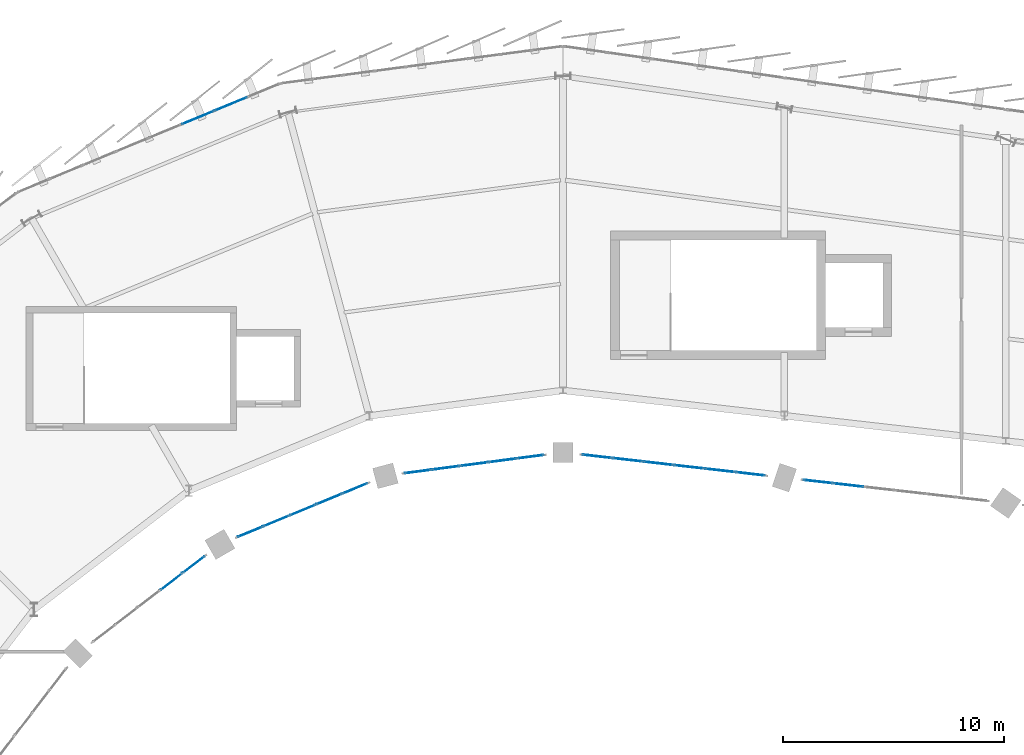
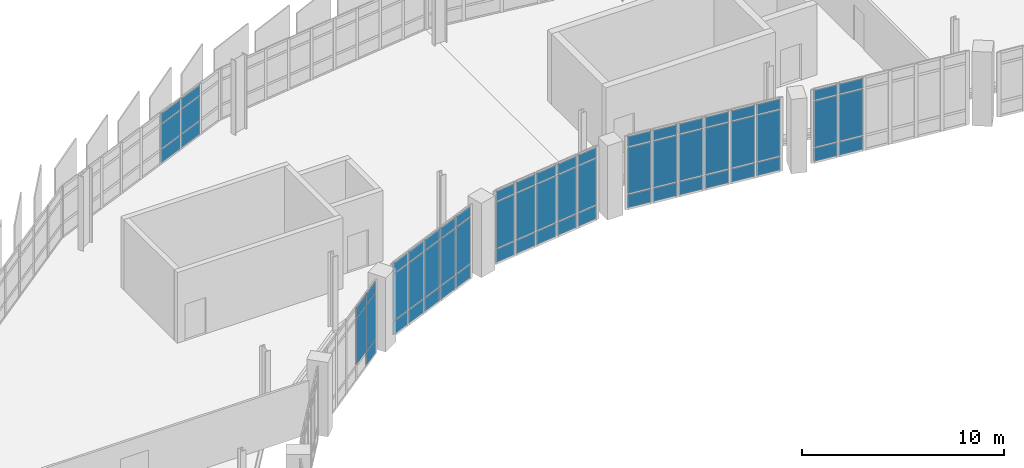
# One storey, part 55 of 67: 65 plates, 6 elements without a shape of their own.
"""IFC4 building model written with IfcOpenShell, lengths in metres."""

from ifc_helpers import new_model, si_unit, direction, frame, origin, origin_2d, place, context, subcontext, project, spatial, rectangle, extrude, material, layer, layer_set, type_object, element, aggregate, save


model = new_model("IFC4")

# Units and contexts
model_context = context("Model", 3, precision=1e-05, world=origin(), true_north=direction((0.0, 1.0)))
body_context = subcontext(model_context, "Body", "Model", "MODEL_VIEW")
ifc_project = project(units=[si_unit("LENGTHUNIT", "METRE"), si_unit("AREAUNIT", "SQUARE_METRE"), si_unit("VOLUMEUNIT", "CUBIC_METRE"), si_unit("PLANEANGLEUNIT", "RADIAN"), si_unit("MASSUNIT", "GRAM", prefix="KILO")], contexts=[model_context])

# Site, building, storey
site_placement = place(None, origin())
site = spatial("IfcSite", under=ifc_project, at=site_placement, CompositionType="ELEMENT")
building_placement = place(site_placement, origin())
building = spatial("IfcBuilding", under=site, at=building_placement, Name="Sohan Crest Arena", CompositionType="ELEMENT")
storey_placement = place(building_placement, frame((0.0, 0.0, 22.5)))
storey = spatial("IfcBuildingStorey", under=building, at=storey_placement, Name="L05", CompositionType="ELEMENT", Elevation=22.5)

# Curtain wall, plates
ifc_material_1 = material(Name="Thermally broken anodised aluminium", Category="aluminium")
ifc_layer_1 = layer(ifc_material_1, 0.199951171875, Name="Thermally broken anodised aluminium")
ifc_layer_set_1 = layer_set([ifc_layer_1], Name="Thermally broken anodised aluminium")
curtain_wall_type_1 = type_object("IfcCurtainWallType", Name="ARC-CW02", PredefinedType="NOTDEFINED", material=ifc_layer_set_1)
curtain_wall_1_placement = place(storey_placement, origin())
curtain_wall_1 = element("IfcCurtainWall", 1, at=curtain_wall_1_placement, inside=storey, type_object=curtain_wall_type_1, Name="Unitised curtain wall CW-147", PredefinedType="NOTDEFINED")
ifc_material_2 = material(Name="Low-E double-glazed insulated glass", Category="glass")
ifc_layer_2 = layer(ifc_material_2, 0.031982421875, Name="Low-E double-glazed insulated glass")
ifc_layer_set_2 = layer_set([ifc_layer_2], Name="Low-E double-glazed insulated glass")
plate_type_1 = type_object("IfcPlateType", Name="ARC-CNP02", PredefinedType="CURTAIN_PANEL", material=ifc_layer_set_2)
plate_1_placement = place(storey_placement, frame((82.995361328125, 124.74365234375, 0.06494140625), z_axis=(0.0, 0.0, 1.0), x_axis=(-0.923878704229, -0.382685432009, 0.0)))
plate_1 = element("IfcPlate", 2, at=plate_1_placement, type_object=plate_type_1, Name="CW-147 panel 2.1", PredefinedType="CURTAIN_PANEL", context=body_context, shape_type="SweptSolid", body=[
    extrude(rectangle(XDim=1.54541015625, YDim=0.031982421875, at=origin_2d()), origin(), (0.0, 0.0, 1.0), 0.802490234375),
])
plate_2_placement = place(storey_placement, frame((82.995361328125, 124.74365234375, 0.932373046875), z_axis=(0.0, 0.0, 1.0), x_axis=(-0.923878704229, -0.382685432009, 0.0)))
plate_2 = element("IfcPlate", 3, at=plate_2_placement, type_object=plate_type_1, Name="CW-147 panel 2.2", PredefinedType="CURTAIN_PANEL", context=body_context, shape_type="SweptSolid", body=[
    extrude(rectangle(XDim=1.54541015625, YDim=0.031982421875, at=origin_2d()), origin(), (0.0, 0.0, 1.0), 1.455078125),
])
plate_3_placement = place(storey_placement, frame((82.995361328125, 124.74365234375, 2.452392578125), z_axis=(0.0, 0.0, 1.0), x_axis=(-0.923878704229, -0.382685432009, 0.0)))
plate_3 = element("IfcPlate", 4, at=plate_3_placement, type_object=plate_type_1, Name="CW-147 panel 2.3", PredefinedType="CURTAIN_PANEL", context=body_context, shape_type="SweptSolid", body=[
    extrude(rectangle(XDim=1.54541015625, YDim=0.031982421875, at=origin_2d()), origin(), (0.0, 0.0, 1.0), 0.6025390625),
])
plate_4_placement = place(storey_placement, frame((81.507568359375, 124.12744140625, 0.06494140625), z_axis=(0.0, 0.0, 1.0), x_axis=(-0.923878704229, -0.382685432009, 0.0)))
plate_4 = element("IfcPlate", 5, at=plate_4_placement, type_object=plate_type_1, Name="CW-147 panel 3.1", PredefinedType="CURTAIN_PANEL", context=body_context, shape_type="SweptSolid", body=[
    extrude(rectangle(XDim=1.54541015625, YDim=0.031982421875, at=origin_2d()), origin(), (0.0, 0.0, 1.0), 0.802490234375),
])
plate_5_placement = place(storey_placement, frame((81.507568359375, 124.12744140625, 0.932373046875), z_axis=(0.0, 0.0, 1.0), x_axis=(-0.923878704229, -0.382685432009, 0.0)))
plate_5 = element("IfcPlate", 6, at=plate_5_placement, type_object=plate_type_1, Name="CW-147 panel 3.2", PredefinedType="CURTAIN_PANEL", context=body_context, shape_type="SweptSolid", body=[
    extrude(rectangle(XDim=1.54541015625, YDim=0.031982421875, at=origin_2d()), origin(), (0.0, 0.0, 1.0), 1.455078125),
])
plate_6_placement = place(storey_placement, frame((81.507568359375, 124.12744140625, 2.452392578125), z_axis=(0.0, 0.0, 1.0), x_axis=(-0.923878704229, -0.382685432009, 0.0)))
plate_6 = element("IfcPlate", 7, at=plate_6_placement, type_object=plate_type_1, Name="CW-147 panel 3.3", PredefinedType="CURTAIN_PANEL", context=body_context, shape_type="SweptSolid", body=[
    extrude(rectangle(XDim=1.54541015625, YDim=0.031982421875, at=origin_2d()), origin(), (0.0, 0.0, 1.0), 0.6025390625),
])
aggregate(curtain_wall_1, [plate_1, plate_2, plate_3, plate_4, plate_5, plate_6])

ifc_layer_3 = layer(ifc_material_1, 0.18994140625, Name="Thermally broken anodised aluminium")
ifc_layer_set_3 = layer_set([ifc_layer_3], Name="Thermally broken anodised aluminium")
curtain_wall_type_2 = type_object("IfcCurtainWallType", Name="ARC-CW05", PredefinedType="NOTDEFINED", material=ifc_layer_set_3)
curtain_wall_2_placement = place(storey_placement, origin())
curtain_wall_2 = element("IfcCurtainWall", 8, at=curtain_wall_2_placement, inside=storey, type_object=curtain_wall_type_2, Name="Unitised curtain wall CW-164", PredefinedType="NOTDEFINED")
ifc_material_3 = material(Name="Ceramic-fritted solar-control insulated glass", Category="glass")
ifc_layer_4 = layer(ifc_material_3, 0.035888671875, Name="Ceramic-fritted solar-control insulated glass")
ifc_layer_set_4 = layer_set([ifc_layer_4], Name="Ceramic-fritted solar-control insulated glass")
plate_type_2 = type_object("IfcPlateType", Name="ARC-CNP03", PredefinedType="CURTAIN_PANEL", material=ifc_layer_set_4)
plate_7_placement = place(storey_placement, frame((96.530029296875, 108.806396484375, 0.06494140625), z_axis=(0.0, 0.0, 1.0), x_axis=(-0.991448491802, -0.130498613419, 0.0)))
plate_7 = element("IfcPlate", 9, at=plate_7_placement, type_object=plate_type_2, Name="CW-164 panel 1.1", PredefinedType="CURTAIN_PANEL", context=body_context, shape_type="SweptSolid", body=[
    extrude(rectangle(XDim=1.185546875, YDim=0.035888671875, at=origin_2d()), origin(), (0.0, 0.0, 1.0), 0.802490234375),
])
plate_8_placement = place(storey_placement, frame((96.530029296875, 108.806396484375, 0.9326171875), z_axis=(0.0, 0.0, 1.0), x_axis=(-0.991448491802, -0.130498613419, 0.0)))
plate_8 = element("IfcPlate", 10, at=plate_8_placement, type_object=plate_type_2, Name="CW-164 panel 1.2", PredefinedType="CURTAIN_PANEL", context=body_context, shape_type="SweptSolid", body=[
    extrude(rectangle(XDim=1.185546875, YDim=0.035888671875, at=origin_2d()), origin(), (0.0, 0.0, 1.0), 2.784912109375),
])
plate_9_placement = place(storey_placement, frame((96.530029296875, 108.806396484375, 3.782470703125), z_axis=(0.0, 0.0, 1.0), x_axis=(-0.991448491802, -0.130498613419, 0.0)))
plate_9 = element("IfcPlate", 11, at=plate_9_placement, type_object=plate_type_2, Name="CW-164 panel 1.3", PredefinedType="CURTAIN_PANEL", context=body_context, shape_type="SweptSolid", body=[
    extrude(rectangle(XDim=1.185546875, YDim=0.035888671875, at=origin_2d()), origin(), (0.0, 0.0, 1.0), 0.6025390625),
])
plate_10_placement = place(storey_placement, frame((95.267822265625, 108.640380859375, 0.06494140625), z_axis=(0.0, 0.0, 1.0), x_axis=(-0.991448491802, -0.130498613419, 0.0)))
plate_10 = element("IfcPlate", 12, at=plate_10_placement, type_object=plate_type_2, Name="CW-164 panel 2.1", PredefinedType="CURTAIN_PANEL", context=body_context, shape_type="SweptSolid", body=[
    extrude(rectangle(XDim=1.220458984375, YDim=0.035888671875, at=origin_2d()), origin(), (0.0, 0.0, 1.0), 0.802490234375),
])
plate_11_placement = place(storey_placement, frame((95.267822265625, 108.640380859375, 0.9326171875), z_axis=(0.0, 0.0, 1.0), x_axis=(-0.991448491802, -0.130498613419, 0.0)))
plate_11 = element("IfcPlate", 13, at=plate_11_placement, type_object=plate_type_2, Name="CW-164 panel 2.2", PredefinedType="CURTAIN_PANEL", context=body_context, shape_type="SweptSolid", body=[
    extrude(rectangle(XDim=1.220458984375, YDim=0.035888671875, at=origin_2d()), origin(), (0.0, 0.0, 1.0), 2.784912109375),
])
plate_12_placement = place(storey_placement, frame((95.267822265625, 108.640380859375, 3.782470703125), z_axis=(0.0, 0.0, 1.0), x_axis=(-0.991448491802, -0.130498613419, 0.0)))
plate_12 = element("IfcPlate", 14, at=plate_12_placement, type_object=plate_type_2, Name="CW-164 panel 2.3", PredefinedType="CURTAIN_PANEL", context=body_context, shape_type="SweptSolid", body=[
    extrude(rectangle(XDim=1.220458984375, YDim=0.035888671875, at=origin_2d()), origin(), (0.0, 0.0, 1.0), 0.6025390625),
])
plate_13_placement = place(storey_placement, frame((93.988525390625, 108.471923828125, 0.06494140625), z_axis=(0.0, 0.0, 1.0), x_axis=(-0.991448491802, -0.130498613419, 0.0)))
plate_13 = element("IfcPlate", 15, at=plate_13_placement, type_object=plate_type_2, Name="CW-164 panel 3.1", PredefinedType="CURTAIN_PANEL", context=body_context, shape_type="SweptSolid", body=[
    extrude(rectangle(XDim=1.220458984375, YDim=0.035888671875, at=origin_2d()), origin(), (0.0, 0.0, 1.0), 0.802490234375),
])
plate_14_placement = place(storey_placement, frame((93.988525390625, 108.471923828125, 0.9326171875), z_axis=(0.0, 0.0, 1.0), x_axis=(-0.991448491802, -0.130498613419, 0.0)))
plate_14 = element("IfcPlate", 16, at=plate_14_placement, type_object=plate_type_2, Name="CW-164 panel 3.2", PredefinedType="CURTAIN_PANEL", context=body_context, shape_type="SweptSolid", body=[
    extrude(rectangle(XDim=1.220458984375, YDim=0.035888671875, at=origin_2d()), origin(), (0.0, 0.0, 1.0), 2.784912109375),
])
plate_15_placement = place(storey_placement, frame((93.988525390625, 108.471923828125, 3.782470703125), z_axis=(0.0, 0.0, 1.0), x_axis=(-0.991448491802, -0.130498613419, 0.0)))
plate_15 = element("IfcPlate", 17, at=plate_15_placement, type_object=plate_type_2, Name="CW-164 panel 3.3", PredefinedType="CURTAIN_PANEL", context=body_context, shape_type="SweptSolid", body=[
    extrude(rectangle(XDim=1.220458984375, YDim=0.035888671875, at=origin_2d()), origin(), (0.0, 0.0, 1.0), 0.6025390625),
])
plate_16_placement = place(storey_placement, frame((92.708984375, 108.3037109375, 0.06494140625), z_axis=(0.0, 0.0, 1.0), x_axis=(-0.991448491802, -0.130498613419, 0.0)))
plate_16 = element("IfcPlate", 18, at=plate_16_placement, type_object=plate_type_2, Name="CW-164 panel 4.1", PredefinedType="CURTAIN_PANEL", context=body_context, shape_type="SweptSolid", body=[
    extrude(rectangle(XDim=1.220458984375, YDim=0.035888671875, at=origin_2d()), origin(), (0.0, 0.0, 1.0), 0.802490234375),
])
plate_17_placement = place(storey_placement, frame((92.708984375, 108.3037109375, 0.9326171875), z_axis=(0.0, 0.0, 1.0), x_axis=(-0.991448491802, -0.130498613419, 0.0)))
plate_17 = element("IfcPlate", 19, at=plate_17_placement, type_object=plate_type_2, Name="CW-164 panel 4.2", PredefinedType="CURTAIN_PANEL", context=body_context, shape_type="SweptSolid", body=[
    extrude(rectangle(XDim=1.220458984375, YDim=0.035888671875, at=origin_2d()), origin(), (0.0, 0.0, 1.0), 2.784912109375),
])
plate_18_placement = place(storey_placement, frame((92.708984375, 108.3037109375, 3.782470703125), z_axis=(0.0, 0.0, 1.0), x_axis=(-0.991448491802, -0.130498613419, 0.0)))
plate_18 = element("IfcPlate", 20, at=plate_18_placement, type_object=plate_type_2, Name="CW-164 panel 4.3", PredefinedType="CURTAIN_PANEL", context=body_context, shape_type="SweptSolid", body=[
    extrude(rectangle(XDim=1.220458984375, YDim=0.035888671875, at=origin_2d()), origin(), (0.0, 0.0, 1.0), 0.6025390625),
])
plate_19_placement = place(storey_placement, frame((91.447021484375, 108.137451171875, 0.06494140625), z_axis=(0.0, 0.0, 1.0), x_axis=(-0.991448491802, -0.130498613419, 0.0)))
plate_19 = element("IfcPlate", 21, at=plate_19_placement, type_object=plate_type_2, Name="CW-164 panel 5.1", PredefinedType="CURTAIN_PANEL", context=body_context, shape_type="SweptSolid", body=[
    extrude(rectangle(XDim=1.185546875, YDim=0.035888671875, at=origin_2d()), origin(), (0.0, 0.0, 1.0), 0.802490234375),
])
plate_20_placement = place(storey_placement, frame((91.447021484375, 108.137451171875, 0.9326171875), z_axis=(0.0, 0.0, 1.0), x_axis=(-0.991448491802, -0.130498613419, 0.0)))
plate_20 = element("IfcPlate", 22, at=plate_20_placement, type_object=plate_type_2, Name="CW-164 panel 5.2", PredefinedType="CURTAIN_PANEL", context=body_context, shape_type="SweptSolid", body=[
    extrude(rectangle(XDim=1.185546875, YDim=0.035888671875, at=origin_2d()), origin(), (0.0, 0.0, 1.0), 2.784912109375),
])
plate_21_placement = place(storey_placement, frame((91.447021484375, 108.137451171875, 3.782470703125), z_axis=(0.0, 0.0, 1.0), x_axis=(-0.991448491802, -0.130498613419, 0.0)))
plate_21 = element("IfcPlate", 23, at=plate_21_placement, type_object=plate_type_2, Name="CW-164 panel 5.3", PredefinedType="CURTAIN_PANEL", context=body_context, shape_type="SweptSolid", body=[
    extrude(rectangle(XDim=1.185546875, YDim=0.035888671875, at=origin_2d()), origin(), (0.0, 0.0, 1.0), 0.6025390625),
])
aggregate(curtain_wall_2, [plate_7, plate_8, plate_9, plate_10, plate_11, plate_12, plate_13, plate_14, plate_15, plate_16, plate_17, plate_18, plate_19, plate_20, plate_21])

curtain_wall_3_placement = place(storey_placement, origin())
curtain_wall_3 = element("IfcCurtainWall", 24, at=curtain_wall_3_placement, inside=storey, type_object=curtain_wall_type_2, Name="Unitised curtain wall CW-166", PredefinedType="NOTDEFINED")
plate_22_placement = place(storey_placement, frame((88.606689453125, 107.37646484375, 0.06494140625), z_axis=(0.0, 0.0, 1.0), x_axis=(-0.923886494023, -0.382666625357, 0.0)))
plate_22 = element("IfcPlate", 25, at=plate_22_placement, type_object=plate_type_2, Name="CW-166 panel 1.1", PredefinedType="CURTAIN_PANEL", context=body_context, shape_type="SweptSolid", body=[
    extrude(rectangle(XDim=1.185302734375, YDim=0.035888671875, at=origin_2d()), origin(), (0.0, 0.0, 1.0), 0.802490234375),
])
plate_23_placement = place(storey_placement, frame((88.606689453125, 107.37646484375, 0.9326171875), z_axis=(0.0, 0.0, 1.0), x_axis=(-0.923886494023, -0.382666625357, 0.0)))
plate_23 = element("IfcPlate", 26, at=plate_23_placement, type_object=plate_type_2, Name="CW-166 panel 1.2", PredefinedType="CURTAIN_PANEL", context=body_context, shape_type="SweptSolid", body=[
    extrude(rectangle(XDim=1.185302734375, YDim=0.035888671875, at=origin_2d()), origin(), (0.0, 0.0, 1.0), 2.784912109375),
])
plate_24_placement = place(storey_placement, frame((88.606689453125, 107.37646484375, 3.782470703125), z_axis=(0.0, 0.0, 1.0), x_axis=(-0.923886494023, -0.382666625357, 0.0)))
plate_24 = element("IfcPlate", 27, at=plate_24_placement, type_object=plate_type_2, Name="CW-166 panel 1.3", PredefinedType="CURTAIN_PANEL", context=body_context, shape_type="SweptSolid", body=[
    extrude(rectangle(XDim=1.185302734375, YDim=0.035888671875, at=origin_2d()), origin(), (0.0, 0.0, 1.0), 0.6025390625),
])
plate_25_placement = place(storey_placement, frame((87.4306640625, 106.889404296875, 0.06494140625), z_axis=(0.0, 0.0, 1.0), x_axis=(-0.923886494023, -0.382666625357, 0.0)))
plate_25 = element("IfcPlate", 28, at=plate_25_placement, type_object=plate_type_2, Name="CW-166 panel 2.1", PredefinedType="CURTAIN_PANEL", context=body_context, shape_type="SweptSolid", body=[
    extrude(rectangle(XDim=1.220458984375, YDim=0.035888671875, at=origin_2d()), origin(), (0.0, 0.0, 1.0), 0.802490234375),
])
plate_26_placement = place(storey_placement, frame((87.4306640625, 106.889404296875, 0.9326171875), z_axis=(0.0, 0.0, 1.0), x_axis=(-0.923886494023, -0.382666625357, 0.0)))
plate_26 = element("IfcPlate", 29, at=plate_26_placement, type_object=plate_type_2, Name="CW-166 panel 2.2", PredefinedType="CURTAIN_PANEL", context=body_context, shape_type="SweptSolid", body=[
    extrude(rectangle(XDim=1.220458984375, YDim=0.035888671875, at=origin_2d()), origin(), (0.0, 0.0, 1.0), 2.784912109375),
])
plate_27_placement = place(storey_placement, frame((87.4306640625, 106.889404296875, 3.782470703125), z_axis=(0.0, 0.0, 1.0), x_axis=(-0.923886494023, -0.382666625357, 0.0)))
plate_27 = element("IfcPlate", 30, at=plate_27_placement, type_object=plate_type_2, Name="CW-166 panel 2.3", PredefinedType="CURTAIN_PANEL", context=body_context, shape_type="SweptSolid", body=[
    extrude(rectangle(XDim=1.220458984375, YDim=0.035888671875, at=origin_2d()), origin(), (0.0, 0.0, 1.0), 0.6025390625),
])
plate_28_placement = place(storey_placement, frame((86.238525390625, 106.3955078125, 0.06494140625), z_axis=(0.0, 0.0, 1.0), x_axis=(-0.923886494023, -0.382666625357, 0.0)))
plate_28 = element("IfcPlate", 31, at=plate_28_placement, type_object=plate_type_2, Name="CW-166 panel 3.1", PredefinedType="CURTAIN_PANEL", context=body_context, shape_type="SweptSolid", body=[
    extrude(rectangle(XDim=1.220458984375, YDim=0.035888671875, at=origin_2d()), origin(), (0.0, 0.0, 1.0), 0.802490234375),
])
plate_29_placement = place(storey_placement, frame((86.238525390625, 106.3955078125, 0.9326171875), z_axis=(0.0, 0.0, 1.0), x_axis=(-0.923886494023, -0.382666625357, 0.0)))
plate_29 = element("IfcPlate", 32, at=plate_29_placement, type_object=plate_type_2, Name="CW-166 panel 3.2", PredefinedType="CURTAIN_PANEL", context=body_context, shape_type="SweptSolid", body=[
    extrude(rectangle(XDim=1.220458984375, YDim=0.035888671875, at=origin_2d()), origin(), (0.0, 0.0, 1.0), 2.784912109375),
])
plate_30_placement = place(storey_placement, frame((86.238525390625, 106.3955078125, 3.782470703125), z_axis=(0.0, 0.0, 1.0), x_axis=(-0.923886494023, -0.382666625357, 0.0)))
plate_30 = element("IfcPlate", 33, at=plate_30_placement, type_object=plate_type_2, Name="CW-166 panel 3.3", PredefinedType="CURTAIN_PANEL", context=body_context, shape_type="SweptSolid", body=[
    extrude(rectangle(XDim=1.220458984375, YDim=0.035888671875, at=origin_2d()), origin(), (0.0, 0.0, 1.0), 0.6025390625),
])
plate_31_placement = place(storey_placement, frame((85.04638671875, 105.901611328125, 0.06494140625), z_axis=(0.0, 0.0, 1.0), x_axis=(-0.923886494023, -0.382666625357, 0.0)))
plate_31 = element("IfcPlate", 34, at=plate_31_placement, type_object=plate_type_2, Name="CW-166 panel 4.1", PredefinedType="CURTAIN_PANEL", context=body_context, shape_type="SweptSolid", body=[
    extrude(rectangle(XDim=1.220458984375, YDim=0.035888671875, at=origin_2d()), origin(), (0.0, 0.0, 1.0), 0.802490234375),
])
plate_32_placement = place(storey_placement, frame((85.04638671875, 105.901611328125, 0.9326171875), z_axis=(0.0, 0.0, 1.0), x_axis=(-0.923886494023, -0.382666625357, 0.0)))
plate_32 = element("IfcPlate", 35, at=plate_32_placement, type_object=plate_type_2, Name="CW-166 panel 4.2", PredefinedType="CURTAIN_PANEL", context=body_context, shape_type="SweptSolid", body=[
    extrude(rectangle(XDim=1.220458984375, YDim=0.035888671875, at=origin_2d()), origin(), (0.0, 0.0, 1.0), 2.784912109375),
])
plate_33_placement = place(storey_placement, frame((85.04638671875, 105.901611328125, 3.782470703125), z_axis=(0.0, 0.0, 1.0), x_axis=(-0.923886494023, -0.382666625357, 0.0)))
plate_33 = element("IfcPlate", 36, at=plate_33_placement, type_object=plate_type_2, Name="CW-166 panel 4.3", PredefinedType="CURTAIN_PANEL", context=body_context, shape_type="SweptSolid", body=[
    extrude(rectangle(XDim=1.220458984375, YDim=0.035888671875, at=origin_2d()), origin(), (0.0, 0.0, 1.0), 0.6025390625),
])
plate_34_placement = place(storey_placement, frame((83.870361328125, 105.41455078125, 0.06494140625), z_axis=(0.0, 0.0, 1.0), x_axis=(-0.923886494023, -0.382666625357, 0.0)))
plate_34 = element("IfcPlate", 37, at=plate_34_placement, type_object=plate_type_2, Name="CW-166 panel 5.1", PredefinedType="CURTAIN_PANEL", context=body_context, shape_type="SweptSolid", body=[
    extrude(rectangle(XDim=1.185302734375, YDim=0.035888671875, at=origin_2d()), origin(), (0.0, 0.0, 1.0), 0.802490234375),
])
plate_35_placement = place(storey_placement, frame((83.870361328125, 105.41455078125, 0.9326171875), z_axis=(0.0, 0.0, 1.0), x_axis=(-0.923886494023, -0.382666625357, 0.0)))
plate_35 = element("IfcPlate", 38, at=plate_35_placement, type_object=plate_type_2, Name="CW-166 panel 5.2", PredefinedType="CURTAIN_PANEL", context=body_context, shape_type="SweptSolid", body=[
    extrude(rectangle(XDim=1.185302734375, YDim=0.035888671875, at=origin_2d()), origin(), (0.0, 0.0, 1.0), 2.784912109375),
])
plate_36_placement = place(storey_placement, frame((83.870361328125, 105.41455078125, 3.782470703125), z_axis=(0.0, 0.0, 1.0), x_axis=(-0.923886494023, -0.382666625357, 0.0)))
plate_36 = element("IfcPlate", 39, at=plate_36_placement, type_object=plate_type_2, Name="CW-166 panel 5.3", PredefinedType="CURTAIN_PANEL", context=body_context, shape_type="SweptSolid", body=[
    extrude(rectangle(XDim=1.185302734375, YDim=0.035888671875, at=origin_2d()), origin(), (0.0, 0.0, 1.0), 0.6025390625),
])
aggregate(curtain_wall_3, [plate_22, plate_23, plate_24, plate_25, plate_26, plate_27, plate_28, plate_29, plate_30, plate_31, plate_32, plate_33, plate_34, plate_35, plate_36])

curtain_wall_4_placement = place(storey_placement, origin())
curtain_wall_4 = element("IfcCurtainWall", 40, at=curtain_wall_4_placement, inside=storey, type_object=curtain_wall_type_2, Name="Unitised curtain wall CW-168", PredefinedType="NOTDEFINED")
plate_37_placement = place(storey_placement, frame((81.3232421875, 103.9443359375, 0.06494140625), z_axis=(0.0, 0.0, 1.0), x_axis=(-0.793217053508, -0.608939000248, 0.0)))
plate_37 = element("IfcPlate", 41, at=plate_37_placement, type_object=plate_type_2, Name="CW-168 panel 1.1", PredefinedType="CURTAIN_PANEL", context=body_context, shape_type="SweptSolid", body=[
    extrude(rectangle(XDim=1.185546875, YDim=0.035888671875, at=origin_2d()), origin(), (0.0, 0.0, 1.0), 0.802490234375),
])
plate_38_placement = place(storey_placement, frame((81.3232421875, 103.9443359375, 0.9326171875), z_axis=(0.0, 0.0, 1.0), x_axis=(-0.793217053508, -0.608939000248, 0.0)))
plate_38 = element("IfcPlate", 42, at=plate_38_placement, type_object=plate_type_2, Name="CW-168 panel 1.2", PredefinedType="CURTAIN_PANEL", context=body_context, shape_type="SweptSolid", body=[
    extrude(rectangle(XDim=1.185546875, YDim=0.035888671875, at=origin_2d()), origin(), (0.0, 0.0, 1.0), 2.784912109375),
])
plate_39_placement = place(storey_placement, frame((81.3232421875, 103.9443359375, 3.782470703125), z_axis=(0.0, 0.0, 1.0), x_axis=(-0.793217053508, -0.608939000248, 0.0)))
plate_39 = element("IfcPlate", 43, at=plate_39_placement, type_object=plate_type_2, Name="CW-168 panel 1.3", PredefinedType="CURTAIN_PANEL", context=body_context, shape_type="SweptSolid", body=[
    extrude(rectangle(XDim=1.185546875, YDim=0.035888671875, at=origin_2d()), origin(), (0.0, 0.0, 1.0), 0.6025390625),
])
plate_40_placement = place(storey_placement, frame((80.313720703125, 103.169189453125, 0.9326171875), z_axis=(0.0, 0.0, 1.0), x_axis=(-0.793217053508, -0.608939000248, 0.0)))
plate_40 = element("IfcPlate", 44, at=plate_40_placement, type_object=plate_type_2, Name="CW-168 panel 2.2", PredefinedType="CURTAIN_PANEL", context=body_context, shape_type="SweptSolid", body=[
    extrude(rectangle(XDim=1.220458984375, YDim=0.035888671875, at=origin_2d()), origin(), (0.0, 0.0, 1.0), 2.784912109375),
])
plate_41_placement = place(storey_placement, frame((80.313720703125, 103.169189453125, 3.782470703125), z_axis=(0.0, 0.0, 1.0), x_axis=(-0.793217053508, -0.608939000248, 0.0)))
plate_41 = element("IfcPlate", 45, at=plate_41_placement, type_object=plate_type_2, Name="CW-168 panel 2.3", PredefinedType="CURTAIN_PANEL", context=body_context, shape_type="SweptSolid", body=[
    extrude(rectangle(XDim=1.220458984375, YDim=0.035888671875, at=origin_2d()), origin(), (0.0, 0.0, 1.0), 0.6025390625),
])
aggregate(curtain_wall_4, [plate_37, plate_38, plate_39, plate_40, plate_41])

curtain_wall_5_placement = place(storey_placement, origin())
curtain_wall_5 = element("IfcCurtainWall", 46, at=curtain_wall_5_placement, inside=storey, type_object=curtain_wall_type_2, Name="Unitised curtain wall CW-199", PredefinedType="NOTDEFINED")
plate_42_placement = place(storey_placement, frame((110.907470703125, 107.524658203125, 0.06494140625), z_axis=(0.0, 0.0, 1.0), x_axis=(-0.993526932422, 0.11359680696, 0.0)))
plate_42 = element("IfcPlate", 47, at=plate_42_placement, type_object=plate_type_2, Name="CW-199 panel 5.1", PredefinedType="CURTAIN_PANEL", context=body_context, shape_type="SweptSolid", body=[
    extrude(rectangle(XDim=1.333984375, YDim=0.035888671875, at=origin_2d()), origin(), (0.0, 0.0, 1.0), 0.802490234375),
])
plate_43_placement = place(storey_placement, frame((110.907470703125, 107.524658203125, 0.9326171875), z_axis=(0.0, 0.0, 1.0), x_axis=(-0.993526932422, 0.11359680696, 0.0)))
plate_43 = element("IfcPlate", 48, at=plate_43_placement, type_object=plate_type_2, Name="CW-199 panel 5.2", PredefinedType="CURTAIN_PANEL", context=body_context, shape_type="SweptSolid", body=[
    extrude(rectangle(XDim=1.333984375, YDim=0.035888671875, at=origin_2d()), origin(), (0.0, 0.0, 1.0), 2.784912109375),
])
plate_44_placement = place(storey_placement, frame((110.907470703125, 107.524658203125, 3.782470703125), z_axis=(0.0, 0.0, 1.0), x_axis=(-0.993526932422, 0.11359680696, 0.0)))
plate_44 = element("IfcPlate", 49, at=plate_44_placement, type_object=plate_type_2, Name="CW-199 panel 5.3", PredefinedType="CURTAIN_PANEL", context=body_context, shape_type="SweptSolid", body=[
    extrude(rectangle(XDim=1.333984375, YDim=0.035888671875, at=origin_2d()), origin(), (0.0, 0.0, 1.0), 0.6025390625),
])
plate_45_placement = place(storey_placement, frame((109.52978515625, 107.682373046875, 0.06494140625), z_axis=(0.0, 0.0, 1.0), x_axis=(-0.993526932422, 0.11359680696, 0.0)))
plate_45 = element("IfcPlate", 50, at=plate_45_placement, type_object=plate_type_2, Name="CW-199 panel 6.1", PredefinedType="CURTAIN_PANEL", context=body_context, shape_type="SweptSolid", body=[
    extrude(rectangle(XDim=1.299072265625, YDim=0.035888671875, at=origin_2d()), origin(), (0.0, 0.0, 1.0), 0.802490234375),
])
plate_46_placement = place(storey_placement, frame((109.52978515625, 107.682373046875, 0.9326171875), z_axis=(0.0, 0.0, 1.0), x_axis=(-0.993526932422, 0.11359680696, 0.0)))
plate_46 = element("IfcPlate", 51, at=plate_46_placement, type_object=plate_type_2, Name="CW-199 panel 6.2", PredefinedType="CURTAIN_PANEL", context=body_context, shape_type="SweptSolid", body=[
    extrude(rectangle(XDim=1.299072265625, YDim=0.035888671875, at=origin_2d()), origin(), (0.0, 0.0, 1.0), 2.784912109375),
])
plate_47_placement = place(storey_placement, frame((109.52978515625, 107.682373046875, 3.782470703125), z_axis=(0.0, 0.0, 1.0), x_axis=(-0.993526932422, 0.11359680696, 0.0)))
plate_47 = element("IfcPlate", 52, at=plate_47_placement, type_object=plate_type_2, Name="CW-199 panel 6.3", PredefinedType="CURTAIN_PANEL", context=body_context, shape_type="SweptSolid", body=[
    extrude(rectangle(XDim=1.299072265625, YDim=0.035888671875, at=origin_2d()), origin(), (0.0, 0.0, 1.0), 0.6025390625),
])
aggregate(curtain_wall_5, [plate_42, plate_43, plate_44, plate_45, plate_46, plate_47])

curtain_wall_6_placement = place(storey_placement, origin())
curtain_wall_6 = element("IfcCurtainWall", 53, at=curtain_wall_6_placement, inside=storey, type_object=curtain_wall_type_2, Name="Unitised curtain wall CW-200", PredefinedType="NOTDEFINED")
plate_48_placement = place(storey_placement, frame((106.47021484375, 108.03173828125, 0.06494140625), z_axis=(0.0, 0.0, 1.0), x_axis=(-0.993526932422, 0.11359680696, 0.0)))
plate_48 = element("IfcPlate", 54, at=plate_48_placement, type_object=plate_type_2, Name="CW-200 panel 1.1", PredefinedType="CURTAIN_PANEL", context=body_context, shape_type="SweptSolid", body=[
    extrude(rectangle(XDim=1.299072265625, YDim=0.035888671875, at=origin_2d()), origin(), (0.0, 0.0, 1.0), 0.802490234375),
])
plate_49_placement = place(storey_placement, frame((106.47021484375, 108.03173828125, 0.9326171875), z_axis=(0.0, 0.0, 1.0), x_axis=(-0.993526932422, 0.11359680696, 0.0)))
plate_49 = element("IfcPlate", 55, at=plate_49_placement, type_object=plate_type_2, Name="CW-200 panel 1.2", PredefinedType="CURTAIN_PANEL", context=body_context, shape_type="SweptSolid", body=[
    extrude(rectangle(XDim=1.299072265625, YDim=0.035888671875, at=origin_2d()), origin(), (0.0, 0.0, 1.0), 2.784912109375),
])
plate_50_placement = place(storey_placement, frame((106.47021484375, 108.03173828125, 3.782470703125), z_axis=(0.0, 0.0, 1.0), x_axis=(-0.993526932422, 0.11359680696, 0.0)))
plate_50 = element("IfcPlate", 56, at=plate_50_placement, type_object=plate_type_2, Name="CW-200 panel 1.3", PredefinedType="CURTAIN_PANEL", context=body_context, shape_type="SweptSolid", body=[
    extrude(rectangle(XDim=1.299072265625, YDim=0.035888671875, at=origin_2d()), origin(), (0.0, 0.0, 1.0), 0.6025390625),
])
plate_51_placement = place(storey_placement, frame((105.092529296875, 108.189208984375, 0.06494140625), z_axis=(0.0, 0.0, 1.0), x_axis=(-0.993526932422, 0.11359680696, 0.0)))
plate_51 = element("IfcPlate", 57, at=plate_51_placement, type_object=plate_type_2, Name="CW-200 panel 2.1", PredefinedType="CURTAIN_PANEL", context=body_context, shape_type="SweptSolid", body=[
    extrude(rectangle(XDim=1.333984375, YDim=0.035888671875, at=origin_2d()), origin(), (0.0, 0.0, 1.0), 0.802490234375),
])
plate_52_placement = place(storey_placement, frame((105.092529296875, 108.189208984375, 0.9326171875), z_axis=(0.0, 0.0, 1.0), x_axis=(-0.993526932422, 0.11359680696, 0.0)))
plate_52 = element("IfcPlate", 58, at=plate_52_placement, type_object=plate_type_2, Name="CW-200 panel 2.2", PredefinedType="CURTAIN_PANEL", context=body_context, shape_type="SweptSolid", body=[
    extrude(rectangle(XDim=1.333984375, YDim=0.035888671875, at=origin_2d()), origin(), (0.0, 0.0, 1.0), 2.784912109375),
])
plate_53_placement = place(storey_placement, frame((105.092529296875, 108.189208984375, 3.782470703125), z_axis=(0.0, 0.0, 1.0), x_axis=(-0.993526932422, 0.11359680696, 0.0)))
plate_53 = element("IfcPlate", 59, at=plate_53_placement, type_object=plate_type_2, Name="CW-200 panel 2.3", PredefinedType="CURTAIN_PANEL", context=body_context, shape_type="SweptSolid", body=[
    extrude(rectangle(XDim=1.333984375, YDim=0.035888671875, at=origin_2d()), origin(), (0.0, 0.0, 1.0), 0.6025390625),
])
plate_54_placement = place(storey_placement, frame((103.697509765625, 108.3486328125, 0.06494140625), z_axis=(0.0, 0.0, 1.0), x_axis=(-0.993526932422, 0.11359680696, 0.0)))
plate_54 = element("IfcPlate", 60, at=plate_54_placement, type_object=plate_type_2, Name="CW-200 panel 3.1", PredefinedType="CURTAIN_PANEL", context=body_context, shape_type="SweptSolid", body=[
    extrude(rectangle(XDim=1.333984375, YDim=0.035888671875, at=origin_2d()), origin(), (0.0, 0.0, 1.0), 0.802490234375),
])
plate_55_placement = place(storey_placement, frame((103.697509765625, 108.3486328125, 0.9326171875), z_axis=(0.0, 0.0, 1.0), x_axis=(-0.993526932422, 0.11359680696, 0.0)))
plate_55 = element("IfcPlate", 61, at=plate_55_placement, type_object=plate_type_2, Name="CW-200 panel 3.2", PredefinedType="CURTAIN_PANEL", context=body_context, shape_type="SweptSolid", body=[
    extrude(rectangle(XDim=1.333984375, YDim=0.035888671875, at=origin_2d()), origin(), (0.0, 0.0, 1.0), 2.784912109375),
])
plate_56_placement = place(storey_placement, frame((103.697509765625, 108.3486328125, 3.782470703125), z_axis=(0.0, 0.0, 1.0), x_axis=(-0.993526932422, 0.11359680696, 0.0)))
plate_56 = element("IfcPlate", 62, at=plate_56_placement, type_object=plate_type_2, Name="CW-200 panel 3.3", PredefinedType="CURTAIN_PANEL", context=body_context, shape_type="SweptSolid", body=[
    extrude(rectangle(XDim=1.333984375, YDim=0.035888671875, at=origin_2d()), origin(), (0.0, 0.0, 1.0), 0.6025390625),
])
plate_57_placement = place(storey_placement, frame((102.302490234375, 108.50830078125, 0.06494140625), z_axis=(0.0, 0.0, 1.0), x_axis=(-0.993526932422, 0.11359680696, 0.0)))
plate_57 = element("IfcPlate", 63, at=plate_57_placement, type_object=plate_type_2, Name="CW-200 panel 4.1", PredefinedType="CURTAIN_PANEL", context=body_context, shape_type="SweptSolid", body=[
    extrude(rectangle(XDim=1.333984375, YDim=0.035888671875, at=origin_2d()), origin(), (0.0, 0.0, 1.0), 0.802490234375),
])
plate_58_placement = place(storey_placement, frame((102.302490234375, 108.50830078125, 0.9326171875), z_axis=(0.0, 0.0, 1.0), x_axis=(-0.993526932422, 0.11359680696, 0.0)))
plate_58 = element("IfcPlate", 64, at=plate_58_placement, type_object=plate_type_2, Name="CW-200 panel 4.2", PredefinedType="CURTAIN_PANEL", context=body_context, shape_type="SweptSolid", body=[
    extrude(rectangle(XDim=1.333984375, YDim=0.035888671875, at=origin_2d()), origin(), (0.0, 0.0, 1.0), 2.784912109375),
])
plate_59_placement = place(storey_placement, frame((102.302490234375, 108.50830078125, 3.782470703125), z_axis=(0.0, 0.0, 1.0), x_axis=(-0.993526932422, 0.11359680696, 0.0)))
plate_59 = element("IfcPlate", 65, at=plate_59_placement, type_object=plate_type_2, Name="CW-200 panel 4.3", PredefinedType="CURTAIN_PANEL", context=body_context, shape_type="SweptSolid", body=[
    extrude(rectangle(XDim=1.333984375, YDim=0.035888671875, at=origin_2d()), origin(), (0.0, 0.0, 1.0), 0.6025390625),
])
plate_60_placement = place(storey_placement, frame((100.907470703125, 108.667724609375, 0.06494140625), z_axis=(0.0, 0.0, 1.0), x_axis=(-0.993526932422, 0.11359680696, 0.0)))
plate_60 = element("IfcPlate", 66, at=plate_60_placement, type_object=plate_type_2, Name="CW-200 panel 5.1", PredefinedType="CURTAIN_PANEL", context=body_context, shape_type="SweptSolid", body=[
    extrude(rectangle(XDim=1.333984375, YDim=0.035888671875, at=origin_2d()), origin(), (0.0, 0.0, 1.0), 0.802490234375),
])
plate_61_placement = place(storey_placement, frame((100.907470703125, 108.667724609375, 0.9326171875), z_axis=(0.0, 0.0, 1.0), x_axis=(-0.993526932422, 0.11359680696, 0.0)))
plate_61 = element("IfcPlate", 67, at=plate_61_placement, type_object=plate_type_2, Name="CW-200 panel 5.2", PredefinedType="CURTAIN_PANEL", context=body_context, shape_type="SweptSolid", body=[
    extrude(rectangle(XDim=1.333984375, YDim=0.035888671875, at=origin_2d()), origin(), (0.0, 0.0, 1.0), 2.784912109375),
])
plate_62_placement = place(storey_placement, frame((100.907470703125, 108.667724609375, 3.782470703125), z_axis=(0.0, 0.0, 1.0), x_axis=(-0.993526932422, 0.11359680696, 0.0)))
plate_62 = element("IfcPlate", 68, at=plate_62_placement, type_object=plate_type_2, Name="CW-200 panel 5.3", PredefinedType="CURTAIN_PANEL", context=body_context, shape_type="SweptSolid", body=[
    extrude(rectangle(XDim=1.333984375, YDim=0.035888671875, at=origin_2d()), origin(), (0.0, 0.0, 1.0), 0.6025390625),
])
plate_63_placement = place(storey_placement, frame((99.52978515625, 108.8251953125, 0.06494140625), z_axis=(0.0, 0.0, 1.0), x_axis=(-0.993526932422, 0.11359680696, 0.0)))
plate_63 = element("IfcPlate", 69, at=plate_63_placement, type_object=plate_type_2, Name="CW-200 panel 6.1", PredefinedType="CURTAIN_PANEL", context=body_context, shape_type="SweptSolid", body=[
    extrude(rectangle(XDim=1.299072265625, YDim=0.035888671875, at=origin_2d()), origin(), (0.0, 0.0, 1.0), 0.802490234375),
])
plate_64_placement = place(storey_placement, frame((99.52978515625, 108.8251953125, 0.9326171875), z_axis=(0.0, 0.0, 1.0), x_axis=(-0.993526932422, 0.11359680696, 0.0)))
plate_64 = element("IfcPlate", 70, at=plate_64_placement, type_object=plate_type_2, Name="CW-200 panel 6.2", PredefinedType="CURTAIN_PANEL", context=body_context, shape_type="SweptSolid", body=[
    extrude(rectangle(XDim=1.299072265625, YDim=0.035888671875, at=origin_2d()), origin(), (0.0, 0.0, 1.0), 2.784912109375),
])
plate_65_placement = place(storey_placement, frame((99.52978515625, 108.8251953125, 3.782470703125), z_axis=(0.0, 0.0, 1.0), x_axis=(-0.993526932422, 0.11359680696, 0.0)))
plate_65 = element("IfcPlate", 71, at=plate_65_placement, type_object=plate_type_2, Name="CW-200 panel 6.3", PredefinedType="CURTAIN_PANEL", context=body_context, shape_type="SweptSolid", body=[
    extrude(rectangle(XDim=1.299072265625, YDim=0.035888671875, at=origin_2d()), origin(), (0.0, 0.0, 1.0), 0.6025390625),
])
aggregate(curtain_wall_6, [plate_48, plate_49, plate_50, plate_51, plate_52, plate_53, plate_54, plate_55, plate_56, plate_57, plate_58, plate_59, plate_60, plate_61, plate_62, plate_63, plate_64, plate_65])

save(model, "model.ifc")
